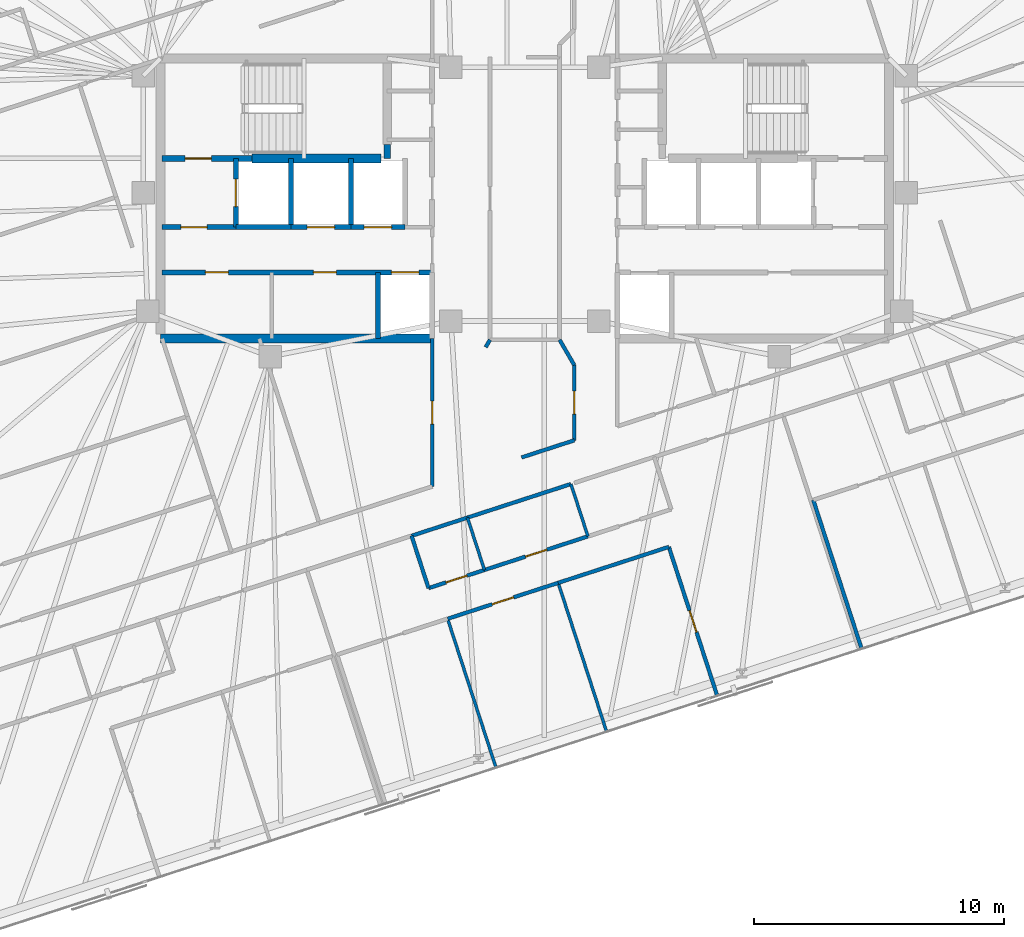
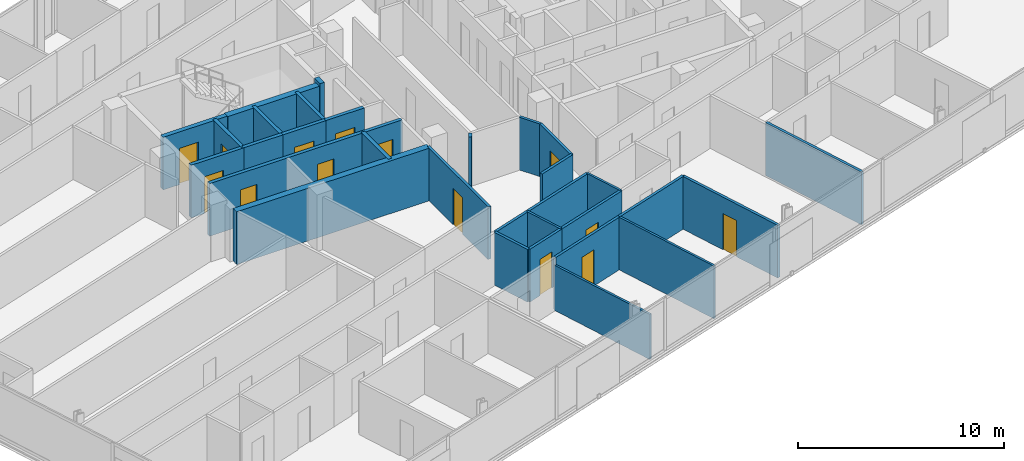
# One storey, part 14 of 20: 31 walls, 14 doors, 14 openings.
"""IFC4 building model written with IfcOpenShell, lengths in metres."""

import ifcopenshell
import ifcopenshell.guid

model = None  # the IFC model being written
_history = None  # IfcOwnerHistory: only IFC2X3 demands one
_inside = {}  # id of a spatial element -> (the spatial element, [elements in it])
_under = {}  # id of a project, library or spatial element -> (it, [spatial elements below it])
_declared = {}  # id of a project -> (the project, [libraries it declares])
_typed = {}  # id of a type object -> (the type object, [elements of that type])
_made_of = {}  # id of a material, layer set ... -> (it, [elements and type objects made of it])


def new_model(schema):
    """Start an empty IFC model of exactly this schema.

    Asked for "IFC4X3", IfcOpenShell would pick the latest addendum, in which some entities
    have other attributes; the version numbers below select the first issue.
    IFC2X3 requires an IfcOwnerHistory on every rooted entity: one is made here for all.
    """
    global model, _history
    if schema == "IFC4X3":
        model = ifcopenshell.file(schema_version=(4, 3, 0, 0))
    else:
        model = ifcopenshell.file(schema=schema)
    _inside.clear()
    _under.clear()
    _declared.clear()
    _typed.clear()
    _made_of.clear()
    _history = None
    if model.schema == "IFC2X3":
        org = make("IfcOrganization", Name="unknown")
        user = make(
            "IfcPersonAndOrganization",
            ThePerson=make("IfcPerson", FamilyName="unknown"),
            TheOrganization=org,
        )
        app = make(
            "IfcApplication",
            ApplicationDeveloper=org,
            Version="unknown",
            ApplicationFullName="unknown",
            ApplicationIdentifier="unknown",
        )
        _history = make(
            "IfcOwnerHistory",
            OwningUser=user,
            OwningApplication=app,
            ChangeAction="ADDED",
            CreationDate=0,
        )
    return model


def make(cls, **values):
    """One entity of the class cls with the attributes given. An attribute that is None is left unset."""
    return model.create_entity(
        cls, **{name: value for name, value in values.items() if value is not None}
    )


def rooted(cls, **values):
    """An entity with a GlobalId (a new one), such as an element, a storey or a relation."""
    return make(cls, GlobalId=ifcopenshell.guid.new(), OwnerHistory=_history, **values)


def si_unit(unit_type, name, prefix=None):
    """IfcSIUnit, for example si_unit("LENGTHUNIT", "METRE", prefix="MILLI")."""
    return make("IfcSIUnit", UnitType=unit_type, Prefix=prefix, Name=name)


def assignment(units):
    """IfcUnitAssignment: the units of a project."""
    return None if units is None else make("IfcUnitAssignment", Units=units)


def point(xyz):
    """IfcCartesianPoint."""
    return None if xyz is None else make("IfcCartesianPoint", Coordinates=xyz)


def direction(xyz):
    """IfcDirection."""
    return None if xyz is None else make("IfcDirection", DirectionRatios=xyz)


def frame(location, z_axis=None, x_axis=None):
    """IfcAxis2Placement3D, a coordinate frame: its origin and axes. An axis left out is left unset."""
    return make(
        "IfcAxis2Placement3D",
        Location=point(location),
        Axis=direction(z_axis),
        RefDirection=direction(x_axis),
    )


def frame_2d(location, x_axis=None):
    """IfcAxis2Placement2D, a coordinate frame in the plane: its origin and x axis."""
    return make(
        "IfcAxis2Placement2D", Location=point(location), RefDirection=direction(x_axis)
    )


def origin():
    """The frame at (0, 0, 0) with its axes left unset."""
    return frame((0.0, 0.0, 0.0))


def place(relative_to, where):
    """IfcLocalPlacement: puts the frame where relative to a parent placement (None: the world)."""
    return make(
        "IfcLocalPlacement", PlacementRelTo=relative_to, RelativePlacement=where
    )


def context(
    kind, dimensions, precision=None, world=None, true_north=None, identifier=None
):
    """IfcGeometricRepresentationContext, for example the 3D "Model" context."""
    return make(
        "IfcGeometricRepresentationContext",
        ContextIdentifier=identifier,
        ContextType=kind,
        CoordinateSpaceDimension=dimensions,
        Precision=precision,
        WorldCoordinateSystem=world,
        TrueNorth=true_north,
    )


def subcontext(parent, identifier, kind, view, scale=None):
    """IfcGeometricRepresentationSubContext, for example "Body" below "Model"."""
    return make(
        "IfcGeometricRepresentationSubContext",
        ContextIdentifier=identifier,
        ContextType=kind,
        ParentContext=parent,
        TargetScale=scale,
        TargetView=view,
    )


def project(units=None, contexts=None):
    """IfcProject with its units and contexts."""
    return rooted(
        "IfcProject",
        Name="project",
        RepresentationContexts=contexts,
        UnitsInContext=assignment(units),
    )


def spatial(cls, under=None, at=None, **own):
    """A site, building, storey or space (cls), placed at a placement, below another one or the project."""
    s = rooted(cls, ObjectPlacement=at, **own)
    if under is not None:
        _under.setdefault(under.id(), (under, []))[1].append(s)
    return s


def profile(cls, at=None, kind="AREA", **sizes):
    """A parametric profile (cls). Its sizes go by their IFC names, for example OverallWidth=200.0."""
    return make(cls, ProfileType=kind, Position=at, **sizes)


def rectangle(**sizes):
    """IfcRectangleProfileDef."""
    return profile("IfcRectangleProfileDef", **sizes)


def extrude(swept, where, along, depth):
    """IfcExtrudedAreaSolid: the profile swept, set in the frame where, extruded along a direction by depth."""
    return make(
        "IfcExtrudedAreaSolid",
        SweptArea=swept,
        Position=where,
        ExtrudedDirection=direction(along),
        Depth=depth,
    )


def shape(context_of_items, identifier, shape_type, items):
    """IfcShapeRepresentation: the items that make up one representation, for example the "Body"."""
    return make(
        "IfcShapeRepresentation",
        ContextOfItems=context_of_items,
        RepresentationIdentifier=identifier,
        RepresentationType=shape_type,
        Items=items,
    )


def material(Name=None, Category=None):
    """IfcMaterial."""
    return make("IfcMaterial", Name=Name, Category=Category)


def layer(
    of_material, thickness, ventilated=None, Name=None, Category=None, Priority=None
):
    """IfcMaterialLayer: one layer of a wall or slab, of a material (None: an air gap)."""
    return make(
        "IfcMaterialLayer",
        Material=of_material,
        LayerThickness=thickness,
        IsVentilated=ventilated,
        Name=Name,
        Category=Category,
        Priority=Priority,
    )


def layer_set(layers, Name=None):
    """IfcMaterialLayerSet."""
    return make("IfcMaterialLayerSet", MaterialLayers=layers, LayerSetName=Name)


def made_of(thing, what):
    """Note that an element or type object is made of a material, layer set ...; save() writes the relation."""
    if what is not None:
        _made_of.setdefault(what.id(), (what, []))[1].append(thing)
    return thing


def type_object(cls, material=None, **own):
    """A type object (cls), such as IfcWallType, which elements share."""
    return made_of(rooted(cls, **own), material)


def element(
    cls,
    number,
    at=None,
    inside=None,
    cuts=None,
    type_object=None,
    material=None,
    context=None,
    identifier="Body",
    shape_type=None,
    held_by="IfcProductDefinitionShape",
    body=None,
    shapes=None,
    **own,
):
    """One element of the class cls, such as IfcWall. Its Tag is "e" and its number.

    at: its placement. inside: the storey or other place that contains it. cuts: it is an
    opening in that element (IfcRelVoidsElement). A single representation is given by context,
    identifier, shape_type and body (its items); several are given by shapes. held_by: the class
    of the entity that holds the representations. save() writes the other relations.
    """
    e = rooted(cls, Tag="e%d" % number, ObjectPlacement=at, **own)
    if body is not None:
        shapes = [shape(context, identifier, shape_type, body)]
    if shapes is not None:
        e.Representation = make(held_by, Representations=shapes)
    if inside is not None:
        _inside.setdefault(inside.id(), (inside, []))[1].append(e)
    if cuts is not None:
        rooted(
            "IfcRelVoidsElement", RelatingBuildingElement=cuts, RelatedOpeningElement=e
        )
    if type_object is not None:
        _typed.setdefault(type_object.id(), (type_object, []))[1].append(e)
    return made_of(e, material)


def fill(opening, filler):
    """IfcRelFillsElement: the door or window that sits in an opening."""
    return rooted(
        "IfcRelFillsElement",
        RelatingOpeningElement=opening,
        RelatedBuildingElement=filler,
    )


def aggregate(whole, parts):
    """IfcRelAggregates: a whole, such as a stair, and the parts it consists of."""
    return rooted("IfcRelAggregates", RelatingObject=whole, RelatedObjects=parts)


def save(model, path):
    """Write the relations noted so far, then the file.

    IfcRelAggregates (storeys below a building ...), IfcRelContainedInSpatialStructure (elements
    in a storey), IfcRelDefinesByType, IfcRelAssociatesMaterial and IfcRelDeclares: one each for
    every whole, place, type object, material and project.
    """
    for whole, parts in _under.values():
        aggregate(whole, parts)
    for where, things in _inside.values():
        rooted(
            "IfcRelContainedInSpatialStructure",
            RelatedElements=things,
            RelatingStructure=where,
        )
    for kind, things in _typed.values():
        rooted("IfcRelDefinesByType", RelatedObjects=things, RelatingType=kind)
    for what, things in _made_of.values():
        rooted("IfcRelAssociatesMaterial", RelatedObjects=things, RelatingMaterial=what)
    for by, libraries in _declared.values():
        rooted("IfcRelDeclares", RelatingContext=by, RelatedDefinitions=libraries)
    model.write(path)


model = new_model("IFC4")

# Units and contexts
model_context = context("Model", 3, precision=1e-05, world=origin(), true_north=direction((0.0, 1.0)))
body_context = subcontext(model_context, "Body", "Model", "MODEL_VIEW")
ifc_project = project(units=[si_unit("LENGTHUNIT", "METRE"), si_unit("AREAUNIT", "SQUARE_METRE"), si_unit("VOLUMEUNIT", "CUBIC_METRE"), si_unit("PLANEANGLEUNIT", "RADIAN"), si_unit("MASSUNIT", "GRAM", prefix="KILO")], contexts=[model_context])

# Site, building, storey
site_placement = place(None, origin())
site = spatial("IfcSite", under=ifc_project, at=site_placement, CompositionType="ELEMENT")
building_placement = place(site_placement, origin())
building = spatial("IfcBuilding", under=site, at=building_placement, Name="Menara Jurai Vektor", CompositionType="ELEMENT")
storey_placement = place(building_placement, frame((0.0, 0.0, 247.75)))
storey = spatial("IfcBuildingStorey", under=building, at=storey_placement, Name="L66", CompositionType="ELEMENT", Elevation=247.75)

# Wall, opening, door
ifc_material_1 = material(Name="Concrete C40/50", Category="concrete")
ifc_layer_1 = layer(ifc_material_1, 0.25)
ifc_layer_set_1 = layer_set([ifc_layer_1], Name="Concrete C40/50")
wall_type_1 = type_object("IfcWallType", Name="INT-WALL-CORE-250", PredefinedType="STANDARD", material=ifc_layer_set_1)
wall_1_placement = place(storey_placement, frame((-14.5, 1.60009765625, 0.0), z_axis=(0.0, 0.0, 1.0), x_axis=(1.0, 0.0, 0.0)))
wall_1 = element("IfcWall", 1, at=wall_1_placement, inside=storey, type_object=wall_type_1, Name="Interior Wall IW-250 L66", PredefinedType="STANDARD", context=body_context, shape_type="SweptSolid", body=[
    extrude(rectangle(XDim=3.60009765625, YDim=0.25, at=frame_2d((1.800048828125, 0.0))), origin(), (0.0, 0.0, 1.0), 3.125),
])
opening_1_placement = place(wall_1_placement, frame((0.919921875, 0.0, 0.0)))
opening_1 = element("IfcOpeningElement", 2, at=opening_1_placement, cuts=wall_1, Name="Opening D-L66-ST1", PredefinedType="OPENING", context=body_context, shape_type="SweptSolid", body=[
    extrude(rectangle(XDim=1.050048828125, YDim=2.14990234375, at=frame_2d((0.52490234375, 1.074951171875))), frame((0.0, 0.135009765625, 0.0), z_axis=(0.0, -1.0, 0.0), x_axis=(1.0, 0.0, 0.0)), (0.0, 0.0, 1.0), 0.27001953125),
])
ifc_material_2 = material(Name="Fire-Rated Steel Door", Category="steel")
door_type_1 = type_object("IfcDoorType", Name="DR-STAIR-1050", OperationType="NOTDEFINED", PredefinedType="DOOR", material=ifc_material_2)
door_1_placement = place(opening_1_placement, origin())
door_1 = element("IfcDoor", 3, at=door_1_placement, inside=storey, type_object=door_type_1, Name="Exit Stair ST1 Door L66", OperationType="SINGLE_SWING_RIGHT", OverallHeight=2.14990234375, OverallWidth=1.050048828125, PredefinedType="DOOR", context=body_context, shape_type="SweptSolid", body=[
    extrude(rectangle(XDim=1.050048828125, YDim=2.14990234375, at=frame_2d((0.52490234375, 1.074951171875))), frame((0.0, 0.02490234375, 0.0), z_axis=(0.0, -1.0, 0.0), x_axis=(1.0, 0.0, 0.0)), (0.0, 0.0, 1.0), 0.050048828125),
])
fill(opening_1, door_1)

# Wall
wall_2_placement = place(storey_placement, frame((-5.5, 1.60009765625, 0.0), z_axis=(0.0, 0.0, 1.0), x_axis=(0.0, 1.0, 0.0)))
element("IfcWall", 4, at=wall_2_placement, inside=storey, type_object=wall_type_1, Name="Interior Wall IW-250 L66", PredefinedType="STANDARD", context=body_context, shape_type="SweptSolid", body=[
    extrude(rectangle(XDim=0.5498046875, YDim=0.25, at=frame_2d((0.27490234375, 0.0))), origin(), (0.0, 0.0, 1.0), 3.125),
])

# Wall, opening, door
wall_3_placement = place(storey_placement, frame((-11.550048828125, -1.14990234375, 0.0), z_axis=(0.0, 0.0, 1.0), x_axis=(0.0, 1.0, 0.0)))
wall_3 = element("IfcWall", 5, at=wall_3_placement, inside=storey, type_object=wall_type_1, Name="Interior Wall IW-250 L66", PredefinedType="STANDARD", context=body_context, shape_type="SweptSolid", body=[
    extrude(rectangle(XDim=2.75, YDim=0.199951171875, at=frame_2d((1.375, 0.0))), origin(), (0.0, 0.0, 1.0), 3.125),
])
opening_2_placement = place(wall_3_placement, frame((0.824951171875, 0.0, 0.0)))
opening_2 = element("IfcOpeningElement", 6, at=opening_2_placement, cuts=wall_3, Name="Opening LD-L66-FL1", PredefinedType="OPENING", context=body_context, shape_type="SweptSolid", body=[
    extrude(rectangle(XDim=1.10009765625, YDim=2.14990234375, at=frame_2d((0.550048828125, 1.074951171875))), frame((0.0, 0.10986328125, 0.0), z_axis=(0.0, -1.0, 0.0), x_axis=(1.0, 0.0, 0.0)), (0.0, 0.0, 1.0), 0.219970703125),
])
ifc_material_3 = material(Name="Stainless Steel Sliding Lift Landing Door", Category="steel")
door_type_2 = type_object("IfcDoorType", Name="DR-LIFT-FIRE-1100", OperationType="NOTDEFINED", PredefinedType="DOOR", material=ifc_material_3)
door_2_placement = place(opening_2_placement, origin())
door_2 = element("IfcDoor", 7, at=door_2_placement, inside=storey, type_object=door_type_2, Name="Lift Landing Door FL1 L66", OperationType="SLIDING_TO_RIGHT", OverallHeight=2.14990234375, OverallWidth=1.10009765625, PredefinedType="DOOR", context=body_context, shape_type="SweptSolid", body=[
    extrude(rectangle(XDim=1.10009765625, YDim=2.14990234375, at=frame_2d((0.550048828125, 1.074951171875))), frame((0.0, 0.02490234375, 0.0), z_axis=(0.0, -1.0, 0.0), x_axis=(1.0, 0.0, 0.0)), (0.0, 0.0, 1.0), 0.050048828125),
])
fill(opening_2, door_2)

# Wall
wall_4_placement = place(storey_placement, frame((-9.35009765625, -1.14990234375, 0.0), z_axis=(0.0, 0.0, 1.0), x_axis=(0.0, 1.0, 0.0)))
element("IfcWall", 8, at=wall_4_placement, inside=storey, type_object=wall_type_1, Name="Interior Wall IW-250 L66", PredefinedType="STANDARD", context=body_context, shape_type="SweptSolid", body=[
    extrude(rectangle(XDim=2.75, YDim=0.199951171875, at=frame_2d((1.375, 0.0))), origin(), (0.0, 0.0, 1.0), 3.125),
])

# Wall, opening, door
wall_5_placement = place(storey_placement, frame((-14.5, -1.14990234375, 0.0), z_axis=(0.0, 0.0, 1.0), x_axis=(1.0, 0.0, 0.0)))
wall_5 = element("IfcWall", 9, at=wall_5_placement, inside=storey, type_object=wall_type_1, Name="Interior Wall IW-250 L66", PredefinedType="STANDARD", context=body_context, shape_type="SweptSolid", body=[
    extrude(rectangle(XDim=2.949951171875, YDim=0.199951171875, at=frame_2d((1.47509765625, 0.0))), origin(), (0.0, 0.0, 1.0), 3.125),
])
opening_3_placement = place(wall_5_placement, frame((0.75, 0.0, 0.0)))
opening_3 = element("IfcOpeningElement", 10, at=opening_3_placement, cuts=wall_5, Name="Opening D-L66-FFW", PredefinedType="OPENING", context=body_context, shape_type="SweptSolid", body=[
    extrude(rectangle(XDim=1.050048828125, YDim=2.179931640625, at=frame_2d((0.52490234375, 1.08984375))), frame((0.0, 0.10986328125, 0.0), z_axis=(0.0, -1.0, 0.0), x_axis=(1.0, 0.0, 0.0)), (0.0, 0.0, 1.0), 0.219970703125),
])
ifc_material_4 = material(Name="Fire-Rated Timber Door", Category="wood")
door_type_3 = type_object("IfcDoorType", Name="DR-LOBBY-1050", OperationType="NOTDEFINED", PredefinedType="DOOR", material=ifc_material_4)
door_3_placement = place(opening_3_placement, origin())
door_3 = element("IfcDoor", 11, at=door_3_placement, inside=storey, type_object=door_type_3, Name="Fire Lift Lobby Door W L66", OperationType="SINGLE_SWING_RIGHT", OverallHeight=2.179931640625, OverallWidth=1.050048828125, PredefinedType="DOOR", context=body_context, shape_type="SweptSolid", body=[
    extrude(rectangle(XDim=1.050048828125, YDim=2.179931640625, at=frame_2d((0.52490234375, 1.08984375))), frame((0.0, 0.02490234375, 0.0), z_axis=(0.0, -1.0, 0.0), x_axis=(1.0, 0.0, 0.0)), (0.0, 0.0, 1.0), 0.050048828125),
])
fill(opening_3, door_3)

# Walls
wall_6_placement = place(storey_placement, frame((-11.550048828125, -1.14990234375, 0.0), z_axis=(0.0, 0.0, 1.0), x_axis=(1.0, 0.0, 0.0)))
element("IfcWall", 12, at=wall_6_placement, inside=storey, type_object=wall_type_1, Name="Interior Wall IW-250 L66", PredefinedType="STANDARD", context=body_context, shape_type="SweptSolid", body=[
    extrude(rectangle(XDim=2.199951171875, YDim=0.199951171875, at=frame_2d((1.10009765625, 0.0))), origin(), (0.0, 0.0, 1.0), 3.125),
])
ifc_material_5 = material(Name="Gypsum Fireboard Partition", Category="gypsum")
ifc_layer_2 = layer(ifc_material_5, 0.14990234375)
ifc_layer_set_2 = layer_set([ifc_layer_2], Name="Gypsum Fireboard Partition")
wall_type_2 = type_object("IfcWallType", Name="INT-WALL-CORR-150", PredefinedType="PARTITIONING", material=ifc_layer_set_2)
wall_7_placement = place(storey_placement, frame((-4.52685546875, -13.48583984375, 0.0), z_axis=(0.0, 0.0, 1.0), x_axis=(0.951045519245, 0.309050837767, 0.0)))
element("IfcWall", 13, at=wall_7_placement, inside=storey, type_object=wall_type_2, Name="Interior Wall IW-150 L66", PredefinedType="PARTITIONING", context=body_context, shape_type="SweptSolid", body=[
    extrude(rectangle(XDim=2.35009765625, YDim=0.14990234375, at=frame_2d((1.175048828125, 0.0))), origin(), (0.0, 0.0, 1.0), 3.125),
])
wall_8_placement = place(storey_placement, frame((-2.291748046875, -12.759521484375, 0.0), z_axis=(0.0, 0.0, 1.0), x_axis=(0.951052627573, 0.309028962374, 0.0)))
element("IfcWall", 14, at=wall_8_placement, inside=storey, type_object=wall_type_2, Name="Interior Wall IW-150 L66", PredefinedType="PARTITIONING", context=body_context, shape_type="SweptSolid", body=[
    extrude(rectangle(XDim=4.349853515625, YDim=0.14990234375, at=frame_2d((2.1748046875, 0.0))), origin(), (0.0, 0.0, 1.0), 3.125),
])
wall_9_placement = place(storey_placement, frame((-0.12939453125, -10.353515625, 0.0), z_axis=(0.0, 0.0, 1.0), x_axis=(0.951066420845, 0.308986509643, 0.0)))
element("IfcWall", 15, at=wall_9_placement, inside=storey, type_object=wall_type_2, Name="Interior Wall IW-150 L66", PredefinedType="PARTITIONING", context=body_context, shape_type="SweptSolid", body=[
    extrude(rectangle(XDim=2.218017578125, YDim=0.14990234375, at=frame_2d((1.10888671875, 0.0))), origin(), (0.0, 0.0, 1.0), 3.125),
])
wall_10_placement = place(storey_placement, frame((-1.5625, -5.943603515625, 0.0), z_axis=(0.0, 0.0, 1.0), x_axis=(0.505387839696, 0.862892305845, 0.0)))
element("IfcWall", 16, at=wall_10_placement, inside=storey, type_object=wall_type_2, Name="Interior Wall IW-150 L66", PredefinedType="PARTITIONING", context=body_context, shape_type="SweptSolid", body=[
    extrude(rectangle(XDim=0.340087890625, YDim=0.14990234375, at=frame_2d((0.169921875, 0.0))), origin(), (0.0, 0.0, 1.0), 3.125),
])

# Wall, opening, door
wall_11_placement = place(storey_placement, frame((1.97998046875, -9.668212890625, 0.0), z_axis=(0.0, 0.0, 1.0), x_axis=(8.1241368e-05, 0.9999999967, 0.0)))
wall_11 = element("IfcWall", 17, at=wall_11_placement, inside=storey, type_object=wall_type_2, Name="Interior Wall IW-150 L66", PredefinedType="PARTITIONING", context=body_context, shape_type="SweptSolid", body=[
    extrude(rectangle(XDim=3.005126953125, YDim=0.14990234375, at=frame_2d((1.50244140625, 0.0))), origin(), (0.0, 0.0, 1.0), 3.125),
])
opening_4_placement = place(wall_11_placement, frame((1.04248046875, 0.0, 0.0)))
opening_4 = element("IfcOpeningElement", 18, at=opening_4_placement, cuts=wall_11, Name="Opening D66-49", PredefinedType="OPENING", context=body_context, shape_type="SweptSolid", body=[
    extrude(rectangle(XDim=0.919921875, YDim=2.14990234375, at=frame_2d((0.4599609375, 1.074951171875))), frame((0.0, 0.0849609375, 0.0), z_axis=(0.0, -1.0, 0.0), x_axis=(1.0, 0.0, 0.0)), (0.0, 0.0, 1.0), 0.169921875),
])
ifc_material_6 = material(Name="Solid Core Timber Fire Door", Category="wood")
door_type_4 = type_object("IfcDoorType", Name="DR-ENTRY-950", OperationType="NOTDEFINED", PredefinedType="DOOR", material=ifc_material_6)
door_4_placement = place(opening_4_placement, origin())
door_4 = element("IfcDoor", 19, at=door_4_placement, inside=storey, type_object=door_type_4, Name="Interior Door D66-49", OperationType="SINGLE_SWING_LEFT", OverallHeight=2.14990234375, OverallWidth=0.919921875, PredefinedType="DOOR", context=body_context, shape_type="SweptSolid", body=[
    extrude(rectangle(XDim=0.919921875, YDim=2.14990234375, at=frame_2d((0.4599609375, 1.074951171875))), frame((0.0, 0.02490234375, 0.0), z_axis=(0.0, -1.0, 0.0), x_axis=(1.0, 0.0, 0.0)), (0.0, 0.0, 1.0), 0.050048828125),
])
fill(opening_4, door_4)

# Wall
wall_12_placement = place(storey_placement, frame((1.391357421875, -5.6494140625, 0.0), z_axis=(0.0, 0.0, 1.0), x_axis=(0.502522642426, -0.864564048437, 0.0)))
element("IfcWall", 20, at=wall_12_placement, inside=storey, type_object=wall_type_2, Name="Interior Wall IW-150 L66", PredefinedType="PARTITIONING", context=body_context, shape_type="SweptSolid", body=[
    extrude(rectangle(XDim=1.17138671875, YDim=0.14990234375, at=frame_2d((0.585693359375, 0.0))), origin(), (0.0, 0.0, 1.0), 3.125),
])

# Wall, opening, door
wall_13_placement = place(storey_placement, frame((-3.69970703125, -11.513671875, 0.0), z_axis=(0.0, 0.0, 1.0), x_axis=(-8.2572974e-05, 0.999999996591, 0.0)))
wall_13 = element("IfcWall", 21, at=wall_13_placement, inside=storey, type_object=wall_type_2, Name="Interior Wall IW-150 L66", PredefinedType="PARTITIONING", context=body_context, shape_type="SweptSolid", body=[
    extrude(rectangle(XDim=5.913330078125, YDim=0.14990234375, at=frame_2d((2.95654296875, 0.0))), origin(), (0.0, 0.0, 1.0), 3.125),
])
opening_5_placement = place(wall_13_placement, frame((2.49658203125, 0.0, 0.0)))
opening_5 = element("IfcOpeningElement", 22, at=opening_5_placement, cuts=wall_13, Name="Opening D66-52", PredefinedType="OPENING", context=body_context, shape_type="SweptSolid", body=[
    extrude(rectangle(XDim=0.919921875, YDim=2.14990234375, at=frame_2d((0.4599609375, 1.074951171875))), frame((0.0, 0.0849609375, 0.0), z_axis=(0.0, -1.0, 0.0), x_axis=(1.0, 0.0, 0.0)), (0.0, 0.0, 1.0), 0.169921875),
])
door_5_placement = place(opening_5_placement, origin())
door_5 = element("IfcDoor", 23, at=door_5_placement, inside=storey, type_object=door_type_4, Name="Interior Door D66-52", OperationType="SINGLE_SWING_RIGHT", OverallHeight=2.14990234375, OverallWidth=0.919921875, PredefinedType="DOOR", context=body_context, shape_type="SweptSolid", body=[
    extrude(rectangle(XDim=0.919921875, YDim=2.14990234375, at=frame_2d((0.4599609375, 1.074951171875))), frame((0.0, 0.02490234375, 0.0), z_axis=(0.0, -1.0, 0.0), x_axis=(1.0, 0.0, 0.0)), (0.0, 0.0, 1.0), 0.050048828125),
])
fill(opening_5, door_5)

# Wall
wall_14_placement = place(storey_placement, frame((-3.846923828125, -15.578125, 0.0), z_axis=(0.0, 0.0, 1.0), x_axis=(-0.309060979314, 0.951042223598, 0.0)))
element("IfcWall", 24, at=wall_14_placement, inside=storey, type_object=wall_type_2, Name="Interior Wall IW-150 L66", PredefinedType="PARTITIONING", context=body_context, shape_type="SweptSolid", body=[
    extrude(rectangle(XDim=2.199951171875, YDim=0.14990234375, at=frame_2d((1.10009765625, 0.0))), origin(), (0.0, 0.0, 1.0), 3.125),
])

# Wall, opening, door
wall_15_placement = place(storey_placement, frame((-3.846923828125, -15.578125, 0.0), z_axis=(0.0, 0.0, 1.0), x_axis=(0.951035595692, 0.309081373955, 0.0)))
wall_15 = element("IfcWall", 25, at=wall_15_placement, inside=storey, type_object=wall_type_2, Name="Interior Wall IW-150 L66", PredefinedType="PARTITIONING", context=body_context, shape_type="SweptSolid", body=[
    extrude(rectangle(XDim=2.349853515625, YDim=0.14990234375, at=frame_2d((1.1748046875, 0.0))), origin(), (0.0, 0.0, 1.0), 3.125),
])
opening_6_placement = place(wall_15_placement, frame((0.735107421875, 0.0, 0.0)))
opening_6 = element("IfcOpeningElement", 26, at=opening_6_placement, cuts=wall_15, Name="Opening D66-30", PredefinedType="OPENING", context=body_context, shape_type="SweptSolid", body=[
    extrude(rectangle(XDim=0.8798828125, YDim=2.14990234375, at=frame_2d((0.43994140625, 1.074951171875))), frame((0.0, 0.0849609375, 0.0), z_axis=(0.0, -1.0, 0.0), x_axis=(1.0, 0.0, 0.0)), (0.0, 0.0, 1.0), 0.169921875),
])
ifc_material_7 = material(Name="Moisture-Resistant Timber Door", Category="wood")
door_type_5 = type_object("IfcDoorType", Name="DR-BATH-880", OperationType="NOTDEFINED", PredefinedType="DOOR", material=ifc_material_7)
door_6_placement = place(opening_6_placement, origin())
door_6 = element("IfcDoor", 27, at=door_6_placement, inside=storey, type_object=door_type_5, Name="Interior Door D66-30", OperationType="SINGLE_SWING_RIGHT", OverallHeight=2.14990234375, OverallWidth=0.8798828125, PredefinedType="DOOR", context=body_context, shape_type="SweptSolid", body=[
    extrude(rectangle(XDim=0.8798828125, YDim=2.14990234375, at=frame_2d((0.43994140625, 1.074951171875))), frame((0.0, 0.02490234375, 0.0), z_axis=(0.0, -1.0, 0.0), x_axis=(1.0, 0.0, 0.0)), (0.0, 0.0, 1.0), 0.050048828125),
])
fill(opening_6, door_6)

wall_16_placement = place(storey_placement, frame((-1.612060546875, -14.851806640625, 0.0), z_axis=(0.0, 0.0, 1.0), x_axis=(0.951074479912, 0.30896170258, 0.0)))
wall_16 = element("IfcWall", 28, at=wall_16_placement, inside=storey, type_object=wall_type_2, Name="Interior Wall IW-150 L66", PredefinedType="PARTITIONING", context=body_context, shape_type="SweptSolid", body=[
    extrude(rectangle(XDim=4.35009765625, YDim=0.14990234375, at=frame_2d((2.175048828125, 0.0))), origin(), (0.0, 0.0, 1.0), 3.125),
])
opening_7_placement = place(wall_16_placement, frame((1.72509765625, 0.0, 0.0)))
opening_7 = element("IfcOpeningElement", 29, at=opening_7_placement, cuts=wall_16, Name="Opening D66-31", PredefinedType="OPENING", context=body_context, shape_type="SweptSolid", body=[
    extrude(rectangle(XDim=0.89990234375, YDim=2.14990234375, at=frame_2d((0.449951171875, 1.074951171875))), frame((0.0, 0.0849609375, 0.0), z_axis=(0.0, -1.0, 0.0), x_axis=(1.0, 0.0, 0.0)), (0.0, 0.0, 1.0), 0.169921875),
])
ifc_material_8 = material(Name="Acoustic Timber Interior Door", Category="wood")
door_type_6 = type_object("IfcDoorType", Name="DR-ROOM-900", OperationType="NOTDEFINED", PredefinedType="DOOR", material=ifc_material_8)
door_7_placement = place(opening_7_placement, origin())
door_7 = element("IfcDoor", 30, at=door_7_placement, inside=storey, type_object=door_type_6, Name="Interior Door D66-31", OperationType="SINGLE_SWING_LEFT", OverallHeight=2.14990234375, OverallWidth=0.89990234375, PredefinedType="DOOR", context=body_context, shape_type="SweptSolid", body=[
    extrude(rectangle(XDim=0.89990234375, YDim=2.14990234375, at=frame_2d((0.449951171875, 1.074951171875))), frame((0.0, 0.02490234375, 0.0), z_axis=(0.0, -1.0, 0.0), x_axis=(1.0, 0.0, 0.0)), (0.0, 0.0, 1.0), 0.050048828125),
])
fill(opening_7, door_7)

wall_17_placement = place(storey_placement, frame((-3.085205078125, -16.802734375, 0.0), z_axis=(0.0, 0.0, 1.0), x_axis=(0.951050272606, 0.309036209813, 0.0)))
wall_17 = element("IfcWall", 31, at=wall_17_placement, inside=storey, type_object=wall_type_2, Name="Interior Wall IW-150 L66", PredefinedType="PARTITIONING", context=body_context, shape_type="SweptSolid", body=[
    extrude(rectangle(XDim=4.64990234375, YDim=0.14990234375, at=frame_2d((2.324951171875, 0.0))), origin(), (0.0, 0.0, 1.0), 3.125),
])
opening_8_placement = place(wall_17_placement, frame((1.875, 0.0, 0.0)))
opening_8 = element("IfcOpeningElement", 32, at=opening_8_placement, cuts=wall_17, Name="Opening D66-34", PredefinedType="OPENING", context=body_context, shape_type="SweptSolid", body=[
    extrude(rectangle(XDim=0.89990234375, YDim=2.14990234375, at=frame_2d((0.449951171875, 1.074951171875))), frame((0.0, 0.0849609375, 0.0), z_axis=(0.0, -1.0, 0.0), x_axis=(1.0, 0.0, 0.0)), (0.0, 0.0, 1.0), 0.169921875),
])
door_8_placement = place(opening_8_placement, origin())
door_8 = element("IfcDoor", 33, at=door_8_placement, inside=storey, type_object=door_type_6, Name="Interior Door D66-34", OperationType="SINGLE_SWING_RIGHT", OverallHeight=2.14990234375, OverallWidth=0.89990234375, PredefinedType="DOOR", context=body_context, shape_type="SweptSolid", body=[
    extrude(rectangle(XDim=0.89990234375, YDim=2.14990234375, at=frame_2d((0.449951171875, 1.074951171875))), frame((0.0, 0.02490234375, 0.0), z_axis=(0.0, -1.0, 0.0), x_axis=(1.0, 0.0, 0.0)), (0.0, 0.0, 1.0), 0.050048828125),
])
fill(opening_8, door_8)

# Wall
wall_18_placement = place(storey_placement, frame((1.337158203125, -15.36572265625, 0.0), z_axis=(0.0, 0.0, 1.0), x_axis=(0.951050272606, 0.309036209813, 0.0)))
element("IfcWall", 34, at=wall_18_placement, inside=storey, type_object=wall_type_2, Name="Interior Wall IW-150 L66", PredefinedType="PARTITIONING", context=body_context, shape_type="SweptSolid", body=[
    extrude(rectangle(XDim=4.64990234375, YDim=0.14990234375, at=frame_2d((2.324951171875, 0.0))), origin(), (0.0, 0.0, 1.0), 3.125),
])

# Wall, opening, door
wall_19_placement = place(storey_placement, frame((7.694580078125, -19.88427734375, 0.0), z_axis=(0.0, 0.0, 1.0), x_axis=(-0.309013782848, 0.951057559777, 0.0)))
wall_19 = element("IfcWall", 35, at=wall_19_placement, inside=storey, type_object=wall_type_2, Name="Interior Wall IW-150 L66", PredefinedType="PARTITIONING", context=body_context, shape_type="SweptSolid", body=[
    extrude(rectangle(XDim=6.261962890625, YDim=0.14990234375, at=frame_2d((3.130859375, 0.0))), origin(), (0.0, 0.0, 1.0), 3.125),
])
opening_9_placement = place(wall_19_placement, frame((2.680908203125, 0.0, 0.0)))
opening_9 = element("IfcOpeningElement", 36, at=opening_9_placement, cuts=wall_19, Name="Opening D66-35", PredefinedType="OPENING", context=body_context, shape_type="SweptSolid", body=[
    extrude(rectangle(XDim=0.89990234375, YDim=2.14990234375, at=frame_2d((0.449951171875, 1.074951171875))), frame((0.0, 0.0849609375, 0.0), z_axis=(0.0, -1.0, 0.0), x_axis=(1.0, 0.0, 0.0)), (0.0, 0.0, 1.0), 0.169921875),
])
door_9_placement = place(opening_9_placement, origin())
door_9 = element("IfcDoor", 37, at=door_9_placement, inside=storey, type_object=door_type_6, Name="Interior Door D66-35", OperationType="SINGLE_SWING_LEFT", OverallHeight=2.14990234375, OverallWidth=0.89990234375, PredefinedType="DOOR", context=body_context, shape_type="SweptSolid", body=[
    extrude(rectangle(XDim=0.89990234375, YDim=2.14990234375, at=frame_2d((0.449951171875, 1.074951171875))), frame((0.0, 0.02490234375, 0.0), z_axis=(0.0, -1.0, 0.0), x_axis=(1.0, 0.0, 0.0)), (0.0, 0.0, 1.0), 0.050048828125),
])
fill(opening_9, door_9)

# Walls
wall_20_placement = place(storey_placement, frame((13.467529296875, -18.008544921875, 0.0), z_axis=(0.0, 0.0, 1.0), x_axis=(-0.309013782848, 0.951057559777, 0.0)))
element("IfcWall", 38, at=wall_20_placement, inside=storey, type_object=wall_type_2, Name="Interior Wall IW-150 L66", PredefinedType="PARTITIONING", context=body_context, shape_type="SweptSolid", body=[
    extrude(rectangle(XDim=6.261962890625, YDim=0.14990234375, at=frame_2d((3.130859375, 0.0))), origin(), (0.0, 0.0, 1.0), 3.125),
])
ifc_material_9 = material(Name="Gypsum Acoustic Stud Partition", Category="gypsum")
ifc_layer_3 = layer(ifc_material_9, 0.1201171875)
ifc_layer_set_3 = layer_set([ifc_layer_3], Name="Gypsum Acoustic Stud Partition")
wall_type_3 = type_object("IfcWallType", Name="INT-WALL-PART-120", PredefinedType="PARTITIONING", material=ifc_layer_set_3)
wall_21_placement = place(storey_placement, frame((-1.612060546875, -14.851806640625, 0.0), z_axis=(0.0, 0.0, 1.0), x_axis=(-0.308960600764, 0.951074837842, 0.0)))
element("IfcWall", 39, at=wall_21_placement, inside=storey, type_object=wall_type_3, Name="Interior Wall IW-120 L66", PredefinedType="PARTITIONING", context=body_context, shape_type="SweptSolid", body=[
    extrude(rectangle(XDim=2.199951171875, YDim=0.1201171875, at=frame_2d((1.10009765625, 0.0))), origin(), (0.0, 0.0, 1.0), 3.125),
])
wall_22_placement = place(storey_placement, frame((2.525146484375, -13.5078125, 0.0), z_axis=(0.0, 0.0, 1.0), x_axis=(-0.309028364152, 0.951052821956, 0.0)))
element("IfcWall", 40, at=wall_22_placement, inside=storey, type_object=wall_type_3, Name="Interior Wall IW-120 L66", PredefinedType="PARTITIONING", context=body_context, shape_type="SweptSolid", body=[
    extrude(rectangle(XDim=2.2001953125, YDim=0.1201171875, at=frame_2d((1.10009765625, 0.0))), origin(), (0.0, 0.0, 1.0), 3.125),
])
wall_23_placement = place(storey_placement, frame((3.272216796875, -21.3212890625, 0.0), z_axis=(0.0, 0.0, 1.0), x_axis=(-0.309013782848, 0.951057559777, 0.0)))
element("IfcWall", 41, at=wall_23_placement, inside=storey, type_object=wall_type_3, Name="Interior Wall IW-120 L66", PredefinedType="PARTITIONING", context=body_context, shape_type="SweptSolid", body=[
    extrude(rectangle(XDim=6.261962890625, YDim=0.1201171875, at=frame_2d((3.130859375, 0.0))), origin(), (0.0, 0.0, 1.0), 3.125),
])
ifc_layer_4 = layer(ifc_material_9, 0.1201171875)
ifc_layer_set_4 = layer_set([ifc_layer_4], Name="Gypsum Acoustic Stud Partition")
wall_type_4 = type_object("IfcWallType", Name="INT-WALL-PART-120-H1", PredefinedType="PARTITIONING", material=ifc_layer_set_4)
wall_24_placement = place(storey_placement, frame((-1.150146484375, -22.75830078125, 0.0), z_axis=(0.0, 0.0, 1.0), x_axis=(-0.309013782848, 0.951057559777, 0.0)))
element("IfcWall", 42, at=wall_24_placement, inside=storey, type_object=wall_type_4, Name="Interior Wall IW-120 L66", PredefinedType="PARTITIONING", context=body_context, shape_type="SweptSolid", body=[
    extrude(rectangle(XDim=6.261962890625, YDim=0.1201171875, at=frame_2d((3.130859375, 0.0))), origin(), (0.0, 0.0, 1.0), 2.675048828125),
])
ifc_layer_5 = layer(ifc_material_1, 0.199951171875)
ifc_layer_set_5 = layer_set([ifc_layer_5], Name="Concrete C40/50")
wall_type_5 = type_object("IfcWallType", Name="INT-WALL-SHAFT-200", PredefinedType="STANDARD", material=ifc_layer_set_5)
wall_25_placement = place(storey_placement, frame((-6.949951171875, -1.14990234375, 0.0), z_axis=(0.0, 0.0, 1.0), x_axis=(0.0, 1.0, 0.0)))
element("IfcWall", 43, at=wall_25_placement, inside=storey, type_object=wall_type_5, Name="Interior Wall IW-200 L66", PredefinedType="STANDARD", context=body_context, shape_type="SweptSolid", body=[
    extrude(rectangle(XDim=2.75, YDim=0.199951171875, at=frame_2d((1.375, 0.0))), origin(), (0.0, 0.0, 1.0), 3.125),
])

# Wall, opening, door
wall_26_placement = place(storey_placement, frame((-9.35009765625, -1.14990234375, 0.0), z_axis=(0.0, 0.0, 1.0), x_axis=(1.0, 0.0, 0.0)))
wall_26 = element("IfcWall", 44, at=wall_26_placement, inside=storey, type_object=wall_type_5, Name="Interior Wall IW-200 L66", PredefinedType="STANDARD", context=body_context, shape_type="SweptSolid", body=[
    extrude(rectangle(XDim=2.400146484375, YDim=0.199951171875, at=frame_2d((1.2001953125, 0.0))), origin(), (0.0, 0.0, 1.0), 3.125),
])
opening_10_placement = place(wall_26_placement, frame((0.64990234375, 0.0, 0.0)))
opening_10 = element("IfcOpeningElement", 45, at=opening_10_placement, cuts=wall_26, Name="Opening LD-L66-SVL1", PredefinedType="OPENING", context=body_context, shape_type="SweptSolid", body=[
    extrude(rectangle(XDim=1.10009765625, YDim=2.14990234375, at=frame_2d((0.550048828125, 1.074951171875))), frame((0.0, 0.10986328125, 0.0), z_axis=(0.0, -1.0, 0.0), x_axis=(1.0, 0.0, 0.0)), (0.0, 0.0, 1.0), 0.219970703125),
])
ifc_material_10 = material(Name="Anodised Stainless Sliding Lift Landing Door", Category="steel")
door_type_7 = type_object("IfcDoorType", Name="DR-LIFT-PASS-1100", OperationType="NOTDEFINED", PredefinedType="DOOR", material=ifc_material_10)
door_10_placement = place(opening_10_placement, origin())
door_10 = element("IfcDoor", 46, at=door_10_placement, inside=storey, type_object=door_type_7, Name="Lift Landing Door SVL1 L66", OperationType="SLIDING_TO_RIGHT", OverallHeight=2.14990234375, OverallWidth=1.10009765625, PredefinedType="DOOR", context=body_context, shape_type="SweptSolid", body=[
    extrude(rectangle(XDim=1.10009765625, YDim=2.14990234375, at=frame_2d((0.550048828125, 1.074951171875))), frame((0.0, 0.02490234375, 0.0), z_axis=(0.0, -1.0, 0.0), x_axis=(1.0, 0.0, 0.0)), (0.0, 0.0, 1.0), 0.050048828125),
])
fill(opening_10, door_10)

wall_27_placement = place(storey_placement, frame((-6.949951171875, -1.14990234375, 0.0), z_axis=(0.0, 0.0, 1.0), x_axis=(1.0, 0.0, 0.0)))
wall_27 = element("IfcWall", 47, at=wall_27_placement, inside=storey, type_object=wall_type_5, Name="Interior Wall IW-200 L66", PredefinedType="STANDARD", context=body_context, shape_type="SweptSolid", body=[
    extrude(rectangle(XDim=2.159912109375, YDim=0.199951171875, at=frame_2d((1.080078125, 0.0))), origin(), (0.0, 0.0, 1.0), 3.125),
])
opening_11_placement = place(wall_27_placement, frame((0.530029296875, 0.0, 0.0)))
opening_11 = element("IfcOpeningElement", 48, at=opening_11_placement, cuts=wall_27, Name="Opening LD-L66-PH2", PredefinedType="OPENING", context=body_context, shape_type="SweptSolid", body=[
    extrude(rectangle(XDim=1.10009765625, YDim=2.14990234375, at=frame_2d((0.550048828125, 1.074951171875))), frame((0.0, 0.10986328125, 0.0), z_axis=(0.0, -1.0, 0.0), x_axis=(1.0, 0.0, 0.0)), (0.0, 0.0, 1.0), 0.219970703125),
])
door_11_placement = place(opening_11_placement, origin())
door_11 = element("IfcDoor", 49, at=door_11_placement, inside=storey, type_object=door_type_7, Name="Lift Landing Door PH2 L66", OperationType="SLIDING_TO_RIGHT", OverallHeight=2.14990234375, OverallWidth=1.10009765625, PredefinedType="DOOR", context=body_context, shape_type="SweptSolid", body=[
    extrude(rectangle(XDim=1.10009765625, YDim=2.14990234375, at=frame_2d((0.550048828125, 1.074951171875))), frame((0.0, 0.02490234375, 0.0), z_axis=(0.0, -1.0, 0.0), x_axis=(1.0, 0.0, 0.0)), (0.0, 0.0, 1.0), 0.050048828125),
])
fill(opening_11, door_11)

# Wall, openings, doors
wall_28_placement = place(storey_placement, frame((-14.5, -2.949951171875, 0.0), z_axis=(0.0, 0.0, 1.0), x_axis=(1.0, 0.0, 0.0)))
wall_28 = element("IfcWall", 50, at=wall_28_placement, inside=storey, type_object=wall_type_5, Name="Interior Wall IW-200 L66", PredefinedType="STANDARD", context=body_context, shape_type="SweptSolid", body=[
    extrude(rectangle(XDim=10.800048828125, YDim=0.199951171875, at=frame_2d((5.39990234375, 0.0))), origin(), (0.0, 0.0, 1.0), 3.125),
])
opening_12_placement = place(wall_28_placement, frame((9.169921875, 0.0, 0.0)))
opening_12 = element("IfcOpeningElement", 51, at=opening_12_placement, cuts=wall_28, Name="Opening LD-L66-PH1", PredefinedType="OPENING", context=body_context, shape_type="SweptSolid", body=[
    extrude(rectangle(XDim=1.10009765625, YDim=2.14990234375, at=frame_2d((0.550048828125, 1.074951171875))), frame((0.0, 0.10986328125, 0.0), z_axis=(0.0, -1.0, 0.0), x_axis=(1.0, 0.0, 0.0)), (0.0, 0.0, 1.0), 0.219970703125),
])
opening_13_placement = place(wall_28_placement, frame((1.72998046875, 0.0, 0.0)))
opening_13 = element("IfcOpeningElement", 52, at=opening_13_placement, cuts=wall_28, Name="Opening D66-01", PredefinedType="OPENING", context=body_context, shape_type="SweptSolid", body=[
    extrude(rectangle(XDim=0.919921875, YDim=2.14990234375, at=frame_2d((0.4599609375, 1.074951171875))), frame((0.0, 0.10986328125, 0.0), z_axis=(0.0, -1.0, 0.0), x_axis=(1.0, 0.0, 0.0)), (0.0, 0.0, 1.0), 0.219970703125),
])
opening_14_placement = place(wall_28_placement, frame((6.050048828125, 0.0, 0.0)))
opening_14 = element("IfcOpeningElement", 53, at=opening_14_placement, cuts=wall_28, Name="Opening D66-02", PredefinedType="OPENING", context=body_context, shape_type="SweptSolid", body=[
    extrude(rectangle(XDim=0.919921875, YDim=2.14990234375, at=frame_2d((0.4599609375, 1.074951171875))), frame((0.0, 0.10986328125, 0.0), z_axis=(0.0, -1.0, 0.0), x_axis=(1.0, 0.0, 0.0)), (0.0, 0.0, 1.0), 0.219970703125),
])
door_12_placement = place(opening_13_placement, origin())
door_12 = element("IfcDoor", 54, at=door_12_placement, inside=storey, type_object=door_type_4, Name="Interior Door D66-01", OperationType="SINGLE_SWING_LEFT", OverallHeight=2.14990234375, OverallWidth=0.919921875, PredefinedType="DOOR", context=body_context, shape_type="SweptSolid", body=[
    extrude(rectangle(XDim=0.919921875, YDim=2.14990234375, at=frame_2d((0.4599609375, 1.074951171875))), frame((0.0, 0.02490234375, 0.0), z_axis=(0.0, -1.0, 0.0), x_axis=(1.0, 0.0, 0.0)), (0.0, 0.0, 1.0), 0.050048828125),
])
fill(opening_13, door_12)
door_13_placement = place(opening_14_placement, origin())
door_13 = element("IfcDoor", 55, at=door_13_placement, inside=storey, type_object=door_type_4, Name="Interior Door D66-02", OperationType="SINGLE_SWING_RIGHT", OverallHeight=2.14990234375, OverallWidth=0.919921875, PredefinedType="DOOR", context=body_context, shape_type="SweptSolid", body=[
    extrude(rectangle(XDim=0.919921875, YDim=2.14990234375, at=frame_2d((0.4599609375, 1.074951171875))), frame((0.0, 0.02490234375, 0.0), z_axis=(0.0, -1.0, 0.0), x_axis=(1.0, 0.0, 0.0)), (0.0, 0.0, 1.0), 0.050048828125),
])
fill(opening_14, door_13)
door_14_placement = place(opening_12_placement, origin())
door_14 = element("IfcDoor", 56, at=door_14_placement, inside=storey, type_object=door_type_7, Name="Lift Landing Door PH1 L66", OperationType="SLIDING_TO_RIGHT", OverallHeight=2.14990234375, OverallWidth=1.10009765625, PredefinedType="DOOR", context=body_context, shape_type="SweptSolid", body=[
    extrude(rectangle(XDim=1.10009765625, YDim=2.14990234375, at=frame_2d((0.550048828125, 1.074951171875))), frame((0.0, 0.02490234375, 0.0), z_axis=(0.0, -1.0, 0.0), x_axis=(1.0, 0.0, 0.0)), (0.0, 0.0, 1.0), 0.050048828125),
])
fill(opening_12, door_14)

# Walls
wall_29_placement = place(storey_placement, frame((-5.860107421875, -5.60009765625, 0.0), z_axis=(0.0, 0.0, 1.0), x_axis=(0.0, 1.0, 0.0)))
element("IfcWall", 57, at=wall_29_placement, inside=storey, type_object=wall_type_5, Name="Interior Wall IW-200 L66", PredefinedType="STANDARD", context=body_context, shape_type="SweptSolid", body=[
    extrude(rectangle(XDim=2.650146484375, YDim=0.199951171875, at=frame_2d((1.3251953125, 0.0))), origin(), (0.0, 0.0, 1.0), 3.125),
])
ifc_material_11 = material(Name="Concrete C50/60", Category="concrete")
ifc_layer_6 = layer(ifc_material_11, 0.35009765625)
ifc_layer_set_6 = layer_set([ifc_layer_6], Name="Concrete C50/60")
wall_type_6 = type_object("IfcWallType", Name="STR-WALL-CORE350", PredefinedType="SHEAR", material=ifc_layer_set_6)
wall_30_placement = place(storey_placement, frame((-14.56005859375, -5.60009765625, 0.0), z_axis=(0.0, 0.0, 1.0), x_axis=(1.0, 0.0, 0.0)))
element("IfcWall", 58, at=wall_30_placement, inside=storey, type_object=wall_type_6, Name="Core Shear Wall CW-W-S L66", PredefinedType="SHEAR", context=body_context, shape_type="SweptSolid", body=[
    extrude(rectangle(XDim=10.860107421875, YDim=0.35009765625, at=frame_2d((5.43017578125, 0.0))), origin(), (0.0, 0.0, 1.0), 3.125),
])
wall_31_placement = place(storey_placement, frame((-10.89990234375, 1.60009765625, 0.0), z_axis=(0.0, 0.0, 1.0), x_axis=(1.0, 0.0, 0.0)))
element("IfcWall", 59, at=wall_31_placement, inside=storey, type_object=wall_type_6, Name="Core Shear Wall CW-W-STS L66", PredefinedType="SHEAR", context=body_context, shape_type="SweptSolid", body=[
    extrude(rectangle(XDim=5.14990234375, YDim=0.35009765625, at=frame_2d((2.574951171875, 0.0))), origin(), (0.0, 0.0, 1.0), 3.125),
])

save(model, "model.ifc")
